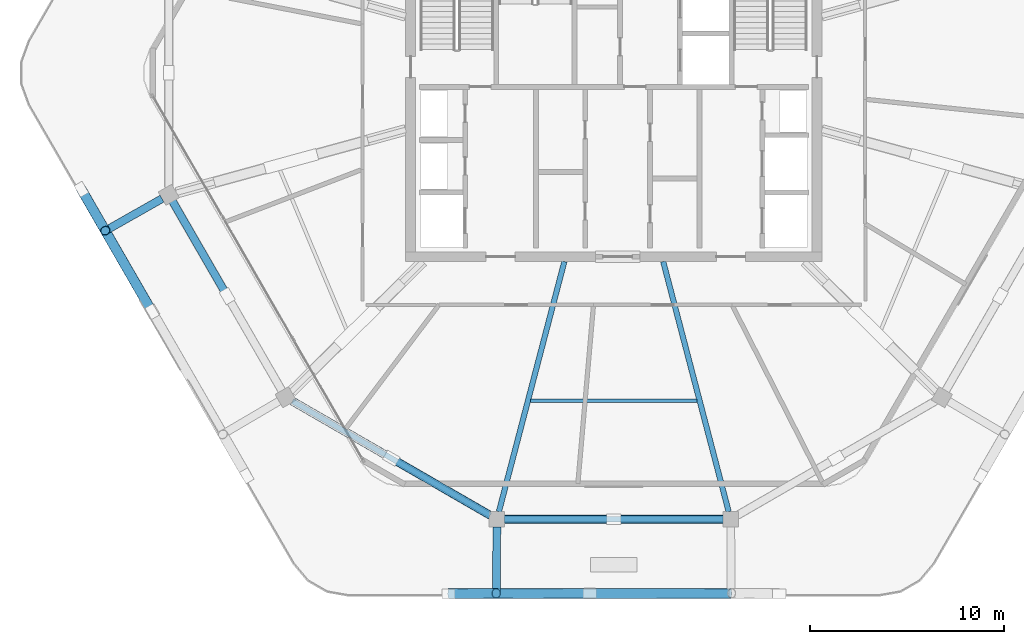
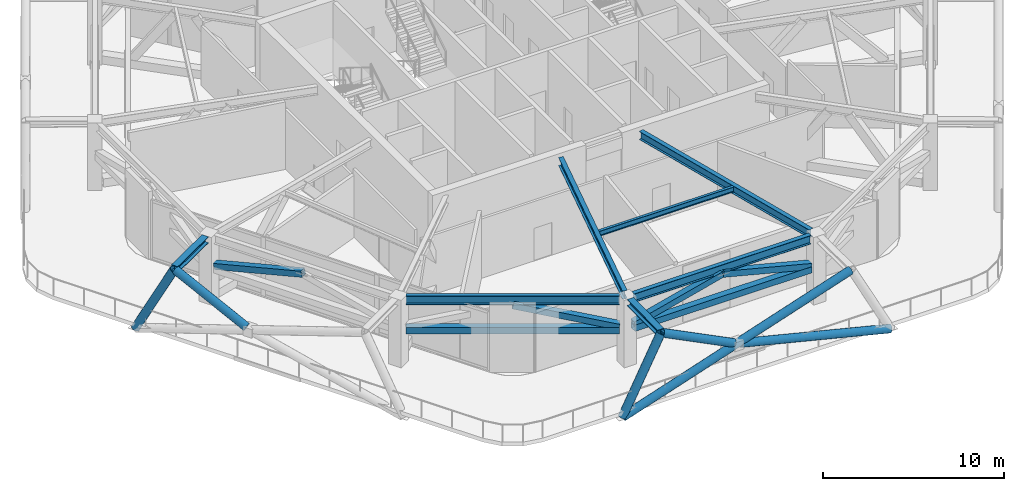
# One storey, part 3 of 19: 12 members, 7 beams.
"""IFC4 building model written with IfcOpenShell, lengths in metres."""

from ifc_helpers import new_model, si_unit, direction, frame, origin, origin_2d, place, context, subcontext, project, spatial, hollow_rectangle, hollow_circle, i_section, extrude, material, material_profile, profile_set, type_object, element, save


model = new_model("IFC4")

# Units and contexts
model_context = context("Model", 3, precision=1e-05, world=origin(), true_north=direction((0.0, 1.0)))
body_context = subcontext(model_context, "Body", "Model", "MODEL_VIEW")
ifc_project = project(units=[si_unit("LENGTHUNIT", "METRE"), si_unit("AREAUNIT", "SQUARE_METRE"), si_unit("VOLUMEUNIT", "CUBIC_METRE"), si_unit("PLANEANGLEUNIT", "RADIAN"), si_unit("MASSUNIT", "GRAM", prefix="KILO")], contexts=[model_context])

# Site, building, storey
site_placement = place(None, origin())
site = spatial("IfcSite", under=ifc_project, at=site_placement, CompositionType="ELEMENT")
building_placement = place(site_placement, origin())
building = spatial("IfcBuilding", under=site, at=building_placement, Name="Zuhravey Tower", CompositionType="ELEMENT")
storey_placement = place(building_placement, frame((0.0, 0.0, 303.39990234375)))
storey = spatial("IfcBuildingStorey", under=building, at=storey_placement, Name="L77", CompositionType="ELEMENT", Elevation=303.39990234375)

# Members
ifc_material_1 = material(Name="Steel SM355", Category="steel")
ifc_material_profile_1 = material_profile(ifc_material_1, hollow_rectangle(XDim=0.419921875, YDim=0.419921875, WallThickness=0.028076171875, at=origin_2d()), Name="RHS-420x420x28")
ifc_profile_set_1 = profile_set([ifc_material_profile_1], Name="Steel SM355")
member_type_1 = type_object("IfcMemberType", Name="Belt Truss Chord RHS420x420", PredefinedType="CHORD", material=ifc_profile_set_1)
member_1_placement = place(storey_placement, frame((19.39599609375, 15.035888671875, 2.27001953125), z_axis=(0.86602323397, -0.500003758211, 0.0), x_axis=(0.500003758211, 0.86602323397, 0.0)))
element("IfcMember", 1, at=member_1_placement, inside=storey, type_object=member_type_1, Name="L77 Belt Truss Bottom Chord BTC1-07", PredefinedType="CHORD", context=body_context, shape_type="SweptSolid", body=[
    extrude(hollow_rectangle(XDim=0.419921875, YDim=0.419921875, WallThickness=0.028076171875, at=origin_2d()), origin(), (0.0, 0.0, 1.0), 11.794921875),
])
member_2_placement = place(storey_placement, frame((30.3662109375, 8.935791015625, 2.27001953125), z_axis=(1.0, 0.0, 0.0), x_axis=(0.0, 1.0, 0.0)))
element("IfcMember", 2, at=member_2_placement, inside=storey, type_object=member_type_1, Name="L77 Belt Truss Bottom Chord BTC1-08", PredefinedType="CHORD", context=body_context, shape_type="SweptSolid", body=[
    extrude(hollow_rectangle(XDim=0.419921875, YDim=0.419921875, WallThickness=0.028076171875, at=origin_2d()), origin(), (0.0, 0.0, 1.0), 11.267578125),
])
ifc_material_profile_2 = material_profile(ifc_material_1, hollow_rectangle(XDim=0.39990234375, YDim=0.39990234375, WallThickness=0.02490234375, at=origin_2d()), Name="RHS-400x400x25")
ifc_profile_set_2 = profile_set([ifc_material_profile_2], Name="Steel SM355")
member_type_2 = type_object("IfcMemberType", Name="Belt Truss Diagonal RHS400x400", PredefinedType="BRACE", material=ifc_profile_set_2)
member_3_placement = place(storey_placement, frame((13.21630859375, 25.334228515625, 2.493896484375), z_axis=(0.484457474073, -0.839038574959, 0.247619113853), x_axis=(0.866008273759, 0.500029668901, 0.0)))
element("IfcMember", 3, at=member_3_placement, inside=storey, type_object=member_type_2, Name="L77 Belt Truss Diagonal BTD1-06.1", PredefinedType="BRACE", context=body_context, shape_type="SweptSolid", body=[
    extrude(hollow_rectangle(XDim=0.39990234375, YDim=0.39990234375, WallThickness=0.02490234375, at=origin_2d()), origin(), (0.0, 0.0, 1.0), 5.774658203125),
])
member_4_placement = place(storey_placement, frame((29.597900390625, 9.145751953125, 2.49365234375), z_axis=(-0.841308559202, 0.485733126091, 0.237198731936), x_axis=(-0.500002627198, -0.866023886965, 0.0)))
element("IfcMember", 4, at=member_4_placement, inside=storey, type_object=member_type_2, Name="L77 Belt Truss Diagonal BTD1-07.2", PredefinedType="BRACE", context=body_context, shape_type="SweptSolid", body=[
    extrude(hollow_rectangle(XDim=0.39990234375, YDim=0.39990234375, WallThickness=0.02490234375, at=origin_2d()), origin(), (0.0, 0.0, 1.0), 6.030517578125),
])
for number, where, z_axis, x_axis, name in (
    (5, (30.380859375, 8.935791015625, 2.493896484375), (0.968858391006, 0.0, 0.247615464333), (0.0, 1.0, 0.0), "L77 Belt Truss Diagonal BTD1-08.1"),
    (6, (41.619140625, 8.935791015625, 2.493896484375), (-0.968858391006, 0.0, 0.247615464333), (0.0, -1.0, 0.0), "L77 Belt Truss Diagonal BTD1-08.2"),
):
    element("IfcMember", number, at=place(storey_placement, frame(where, z_axis=z_axis, x_axis=x_axis)), inside=storey, type_object=member_type_2, Name=name, PredefinedType="BRACE", context=body_context, shape_type="SweptSolid", body=[
        extrude(hollow_rectangle(XDim=0.39990234375, YDim=0.39990234375, WallThickness=0.02490234375, at=origin_2d()), origin(), (0.0, 0.0, 1.0), 5.77490234375),
    ])

# Beams
ifc_material_2 = material(Name="Steel SM460", Category="steel")
ifc_material_profile_3 = material_profile(ifc_material_2, i_section(OverallWidth=0.406982421875, OverallDepth=0.427978515625, WebThickness=0.02001953125, FlangeThickness=0.034912109375, at=origin_2d()), Name="H-428x407x20x35")
ifc_profile_set_3 = profile_set([ifc_material_profile_3], Name="Steel SM460")
beam_type_1 = type_object("IfcBeamType", Name="Exoskeleton Node Tie Beam H428x407", PredefinedType="BEAM", material=ifc_profile_set_3)
beam_1_placement = place(storey_placement, frame((12.6552734375, 25.498291015625, 4.336181640625), z_axis=(-0.869816903005, -0.493374660118, 0.0), x_axis=(0.493374660118, -0.869816903005, 0.0)))
element("IfcBeam", 7, at=beam_1_placement, inside=storey, type_object=beam_type_1, Name="L77 Exoskeleton Node Tie NT1-07", PredefinedType="BEAM", context=body_context, shape_type="SweptSolid", body=[
    extrude(i_section(OverallWidth=0.406982421875, OverallDepth=0.427978515625, WebThickness=0.02001953125, FlangeThickness=0.034912109375, at=origin_2d()), origin(), (0.0, 0.0, 1.0), 3.35107421875),
])
beam_2_placement = place(storey_placement, frame((29.958251953125, 8.531982421875, 4.336181640625), z_axis=(-0.007514817861, -0.999971763358, 0.0), x_axis=(0.999971763358, -0.007514817861, 0.0)))
element("IfcBeam", 8, at=beam_2_placement, inside=storey, type_object=beam_type_1, Name="L77 Exoskeleton Node Tie NT1-09", PredefinedType="BEAM", context=body_context, shape_type="SweptSolid", body=[
    extrude(i_section(OverallWidth=0.406982421875, OverallDepth=0.427978515625, WebThickness=0.02001953125, FlangeThickness=0.034912109375, at=origin_2d()), origin(), (0.0, 0.0, 1.0), 3.4111328125),
])

# Members
ifc_material_profile_4 = material_profile(ifc_material_1, hollow_circle(Radius=0.25390625, WallThickness=0.02490234375, at=origin_2d()), Name="CHS-508.0x25")
ifc_profile_set_4 = profile_set([ifc_material_profile_4], Name="Steel SM355")
member_type_3 = type_object("IfcMemberType", Name="Exoskeleton Zone 4 Diagrid CHS508x25", PredefinedType="BRACE", material=ifc_profile_set_4)
member_5_placement = place(storey_placement, frame((8.490478515625, 25.97998046875, -0.477783203125), z_axis=(0.228556836561, -0.395833285655, 0.889425535067), x_axis=(0.866004199017, 0.500036725936, 0.0)))
element("IfcMember", 9, at=member_5_placement, inside=storey, type_object=member_type_3, Name="L77 Face 4 Diagrid Brace 1", PredefinedType="BRACE", context=body_context, shape_type="SweptSolid", body=[
    extrude(hollow_circle(Radius=0.25390625, WallThickness=0.02490234375, at=origin_2d()), origin(), (0.0, 0.0, 1.0), 5.394287109375),
])
member_6_placement = place(storey_placement, frame((12.031494140625, 19.8466796875, 2.0302734375), z_axis=(-0.447134693811, 0.77449432998, 0.447469662011), x_axis=(-0.866034998422, -0.499983381233, 0.0)))
element("IfcMember", 10, at=member_6_placement, inside=storey, type_object=member_type_3, Name="L77 Face 4 Split Diagrid Brace 3B", PredefinedType="BRACE", context=body_context, shape_type="SweptSolid", body=[
    extrude(hollow_circle(Radius=0.25390625, WallThickness=0.02490234375, at=origin_2d()), origin(), (0.0, 0.0, 1.0), 5.10205078125),
])
member_7_placement = place(storey_placement, frame((27.458740234375, 5.091064453125, -0.477783203125), z_axis=(0.457069113714, 0.002760789775, 0.889426896), x_axis=(-0.006040091818, 0.999981758479, 0.0)))
element("IfcMember", 11, at=member_7_placement, inside=storey, type_object=member_type_3, Name="L77 Face 5 Diagrid Brace 1", PredefinedType="BRACE", context=body_context, shape_type="SweptSolid", body=[
    extrude(hollow_circle(Radius=0.25390625, WallThickness=0.02490234375, at=origin_2d()), origin(), (0.0, 0.0, 1.0), 5.394287109375),
])
member_8_placement = place(storey_placement, frame((27.4990234375, 5.091064453125, -0.477783203125), z_axis=(0.949506594726, 0.000973869292, 0.313745562759), x_axis=(-0.001025657731, 0.999999474013, 0.0)))
element("IfcMember", 12, at=member_8_placement, inside=storey, type_object=member_type_3, Name="L77 Face 5 Diagrid Brace 2", PredefinedType="BRACE", context=body_context, shape_type="SweptSolid", body=[
    extrude(hollow_circle(Radius=0.25390625, WallThickness=0.02490234375, at=origin_2d()), origin(), (0.0, 0.0, 1.0), 15.292236328125),
])
member_9_placement = place(storey_placement, frame((44.5, 5.0908203125, -0.481689453125), z_axis=(-0.970901758407, 0.000748209632, 0.239476962784), x_axis=(-0.000770633489, -0.999999703062, 0.0)))
element("IfcMember", 13, at=member_9_placement, inside=storey, type_object=member_type_3, Name="L77 Face 5 Split Diagrid Brace 3A", PredefinedType="BRACE", context=body_context, shape_type="SweptSolid", body=[
    extrude(hollow_circle(Radius=0.25390625, WallThickness=0.02490234375, at=origin_2d()), origin(), (0.0, 0.0, 1.0), 9.7890625),
])
member_10_placement = place(storey_placement, frame((34.540771484375, 5.0986328125, 2.0302734375), z_axis=(-0.894292298862, 0.001387760952, 0.447481126212), x_axis=(-0.001551796077, -0.999998795964, 0.0)))
element("IfcMember", 14, at=member_10_placement, inside=storey, type_object=member_type_3, Name="L77 Face 5 Split Diagrid Brace 3B", PredefinedType="BRACE", context=body_context, shape_type="SweptSolid", body=[
    extrude(hollow_circle(Radius=0.25390625, WallThickness=0.02490234375, at=origin_2d()), origin(), (0.0, 0.0, 1.0), 5.101806640625),
])

# Beams
ifc_material_profile_5 = material_profile(ifc_material_1, i_section(OverallWidth=0.280029296875, OverallDepth=0.580078125, WebThickness=0.011962890625, FlangeThickness=0.01904296875, at=origin_2d()), Name="H-580x280x12x19")
ifc_profile_set_5 = profile_set([ifc_material_profile_5], Name="Steel SM355")
beam_type_2 = type_object("IfcBeamType", Name="Perimeter Ring Beam H580x280", PredefinedType="BEAM", material=ifc_profile_set_5)
beam_3_placement = place(storey_placement, frame((19.394287109375, 15.036865234375, 4.260009765625), z_axis=(0.866023977509, -0.500002470373, 0.0), x_axis=(0.500002470373, 0.866023977509, 0.0)))
element("IfcBeam", 15, at=beam_3_placement, inside=storey, type_object=beam_type_2, Name="L77 PB4 BM-L77-PB-08", PredefinedType="BEAM", context=body_context, shape_type="SweptSolid", body=[
    extrude(i_section(OverallWidth=0.280029296875, OverallDepth=0.580078125, WebThickness=0.011962890625, FlangeThickness=0.01904296875, at=origin_2d()), origin(), (0.0, 0.0, 1.0), 11.798828125),
])
beam_4_placement = place(storey_placement, frame((30.3642578125, 8.935791015625, 4.260009765625), z_axis=(1.0, 0.0, 0.0), x_axis=(0.0, 1.0, 0.0)))
element("IfcBeam", 16, at=beam_4_placement, inside=storey, type_object=beam_type_2, Name="L77 PB4 BM-L77-PB-09", PredefinedType="BEAM", context=body_context, shape_type="SweptSolid", body=[
    extrude(i_section(OverallWidth=0.280029296875, OverallDepth=0.580078125, WebThickness=0.011962890625, FlangeThickness=0.01904296875, at=origin_2d()), origin(), (0.0, 0.0, 1.0), 11.271484375),
])
ifc_material_profile_6 = material_profile(ifc_material_1, i_section(OverallWidth=0.280029296875, OverallDepth=0.550048828125, WebThickness=0.010986328125, FlangeThickness=0.01806640625, at=origin_2d()), Name="H-550x280x11x18")
ifc_profile_set_6 = profile_set([ifc_material_profile_6], Name="Steel SM355")
beam_type_3 = type_object("IfcBeamType", Name="Radial Primary Girder H550x280", PredefinedType="BEAM", material=ifc_profile_set_6)
for number, where, z_axis, x_axis, name in (
    (17, (33.446533203125, 22.2470703125, 4.275146484375), (-0.253281197106, -0.967392699576, 0.0), (0.967392699576, -0.253281197106, 0.0), "L77 RG4 BM-L77-RAD-09"),
    (18, (38.553466796875, 22.2470703125, 4.275146484375), (0.253281197106, -0.967392699576, 0.0), (0.967392699576, 0.253281197106, 0.0), "L77 RG4 BM-L77-RAD-10"),
):
    element("IfcBeam", number, at=place(storey_placement, frame(where, z_axis=z_axis, x_axis=x_axis)), inside=storey, type_object=beam_type_3, Name=name, PredefinedType="BEAM", context=body_context, shape_type="SweptSolid", body=[
        extrude(i_section(OverallWidth=0.280029296875, OverallDepth=0.550048828125, WebThickness=0.010986328125, FlangeThickness=0.01806640625, at=origin_2d()), origin(), (0.0, 0.0, 1.0), 13.35693359375),
    ])
ifc_material_profile_7 = material_profile(ifc_material_1, i_section(OverallWidth=0.175048828125, OverallDepth=0.35009765625, WebThickness=0.007080078125, FlangeThickness=0.010986328125, at=origin_2d()), Name="H-350x175x7x11")
ifc_profile_set_7 = profile_set([ifc_material_profile_7], Name="Steel SM355")
beam_type_4 = type_object("IfcBeamType", Name="Secondary Floor Joist H350x175", PredefinedType="JOIST", material=ifc_profile_set_7)
beam_5_placement = place(storey_placement, frame((31.70849609375, 15.05908203125, 4.375), z_axis=(1.0, 0.0, 0.0), x_axis=(0.0, 1.0, 0.0)))
element("IfcBeam", 19, at=beam_5_placement, inside=storey, type_object=beam_type_4, Name="L77 SJ3 BM-L77-SJ-09-1", PredefinedType="JOIST", context=body_context, shape_type="SweptSolid", body=[
    extrude(i_section(OverallWidth=0.175048828125, OverallDepth=0.35009765625, WebThickness=0.007080078125, FlangeThickness=0.010986328125, at=origin_2d()), origin(), (0.0, 0.0, 1.0), 8.5830078125),
])

save(model, "model.ifc")
